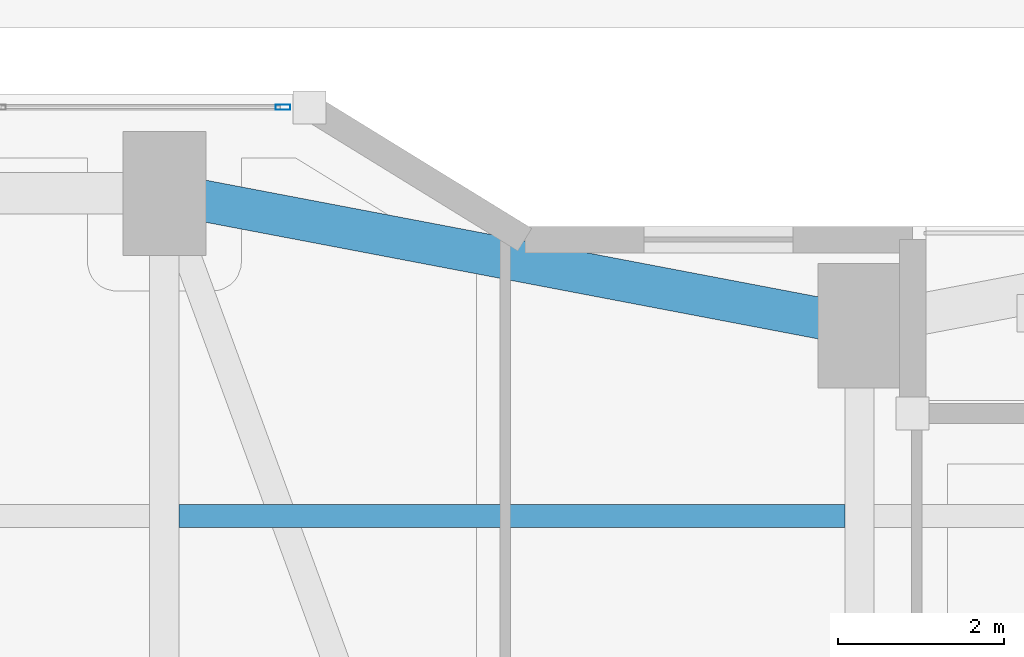
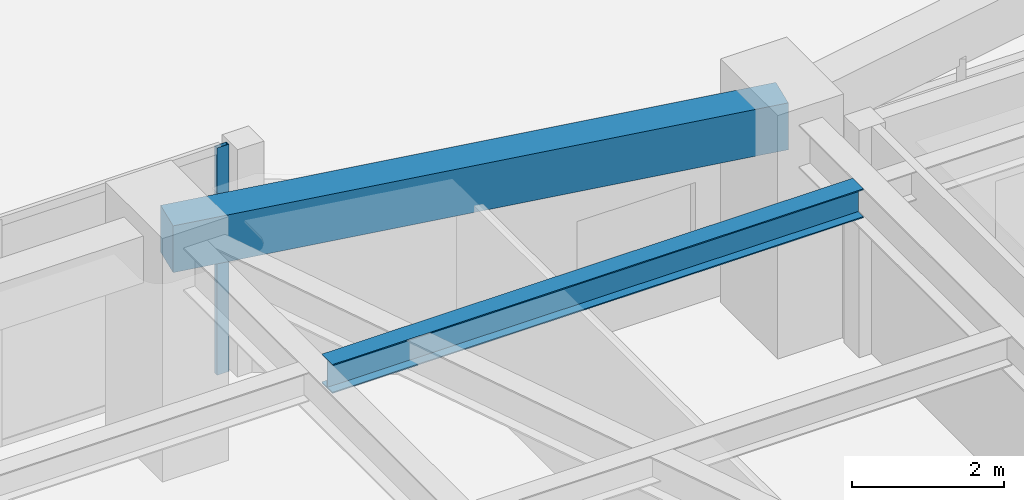
# One storey, part 12 of 38: 2 beams, 1 member, 1 element without a shape of its own.
"""IFC4 building model written with IfcOpenShell, lengths in metres."""

from ifc_helpers import new_model, si_unit, direction, frame, origin, origin_2d, place, context, subcontext, project, spatial, rectangle, hollow_rectangle, i_section, extrude, material, layer, layer_set, material_profile, profile_set, type_object, element, aggregate, save


model = new_model("IFC4")

# Units and contexts
model_context = context("Model", 3, precision=1e-05, world=origin(), true_north=direction((0.0, 1.0)))
body_context = subcontext(model_context, "Body", "Model", "MODEL_VIEW")
ifc_project = project(units=[si_unit("LENGTHUNIT", "METRE"), si_unit("AREAUNIT", "SQUARE_METRE"), si_unit("VOLUMEUNIT", "CUBIC_METRE"), si_unit("PLANEANGLEUNIT", "RADIAN"), si_unit("MASSUNIT", "GRAM", prefix="KILO")], contexts=[model_context])

# Site, building, storey
site_placement = place(None, origin())
site = spatial("IfcSite", under=ifc_project, at=site_placement, CompositionType="ELEMENT")
building_placement = place(site_placement, origin())
building = spatial("IfcBuilding", under=site, at=building_placement, Name="Kiyonajd Concourse Tower", CompositionType="ELEMENT")
storey_placement = place(building_placement, frame((0.0, 0.0, 21.60009765625)))
storey = spatial("IfcBuildingStorey", under=building, at=storey_placement, Name="L06", CompositionType="ELEMENT", Elevation=21.60009765625)

# Beams
ifc_material_1 = material(Name="Steel ASTM A992 Grade 50", Category="steel")
ifc_material_profile_1 = material_profile(ifc_material_1, i_section(OverallWidth=0.280029296875, OverallDepth=0.462890625, WebThickness=0.0107421875, FlangeThickness=0.017333984375, at=origin_2d()), Name="W460X113")
ifc_profile_set_1 = profile_set([ifc_material_profile_1], Name="Steel ASTM A992 Grade 50")
beam_type_1 = type_object("IfcBeamType", Name="BM-JST-460A", PredefinedType="JOIST", material=ifc_profile_set_1)
beam_1_placement = place(storey_placement, frame((39.777587890625, 57.300048828125, 3.408447265625), z_axis=(1.0, 0.0, 0.0), x_axis=(0.0, 1.0, 0.0)))
element("IfcBeam", 1, at=beam_1_placement, inside=storey, type_object=beam_type_1, Name="L06 Secondary Floor Joist", PredefinedType="JOIST", context=body_context, shape_type="SweptSolid", body=[
    extrude(i_section(OverallWidth=0.280029296875, OverallDepth=0.462890625, WebThickness=0.0107421875, FlangeThickness=0.017333984375, at=origin_2d()), origin(), (0.0, 0.0, 1.0), 8.044921875),
])
ifc_material_2 = material(Name="Precast concrete C50/60", Category="concrete")
ifc_material_profile_2 = material_profile(ifc_material_2, rectangle(XDim=0.5, YDim=0.75, at=origin_2d()), Name="RCBM-500x750")
ifc_profile_set_2 = profile_set([ifc_material_profile_2], Name="Precast concrete C50/60")
beam_type_2 = type_object("IfcBeamType", Name="BM-SPAN-RC", PredefinedType="SPANDREL", material=ifc_profile_set_2)
beam_2_placement = place(storey_placement, frame((48.0, 59.60009765625, 3.264892578125), z_axis=(-0.982341315253, 0.187097675953, 0.0), x_axis=(-0.187097675953, -0.982341315253, 0.0)))
element("IfcBeam", 2, at=beam_2_placement, inside=storey, type_object=beam_type_2, Name="L06 Perimeter Bundled Tube Spandrel", PredefinedType="SPANDREL", context=body_context, shape_type="SweptSolid", body=[
    extrude(rectangle(XDim=0.5, YDim=0.75, at=origin_2d()), origin(), (0.0, 0.0, 1.0), 8.55078125),
])

# Curtain wall, member
ifc_material_3 = material(Name="Thermally Broken Anodised Aluminium", Category="aluminium")
ifc_layer = layer(ifc_material_3, 0.179931640625)
ifc_layer_set = layer_set([ifc_layer], Name="Thermally Broken Anodised Aluminium")
curtain_wall_type = type_object("IfcCurtainWallType", Name="CW-SYS-02", PredefinedType="NOTDEFINED", material=ifc_layer_set)
curtain_wall_placement = place(storey_placement, origin())
curtain_wall = element("IfcCurtainWall", 3, at=curtain_wall_placement, inside=storey, type_object=curtain_wall_type, Name="L06 Unitised Curtain Wall CW2", PredefinedType="NOTDEFINED")
ifc_material_profile_3 = material_profile(ifc_material_3, hollow_rectangle(XDim=0.06494140625, YDim=0.179931640625, WallThickness=0.00390625, at=origin_2d()), Name="MULL-65x180")
ifc_profile_set_3 = profile_set([ifc_material_profile_3], Name="Thermally Broken Anodised Aluminium")
member_type = type_object("IfcMemberType", Name="MB-CW-MULL1", PredefinedType="MULLION", material=ifc_profile_set_3)
member_placement = place(storey_placement, frame((41.0322265625, 62.239990234375, 0.0), z_axis=(0.0, 0.0, 1.0), x_axis=(0.0, 1.0, 0.0)))
member = element("IfcMember", 4, at=member_placement, type_object=member_type, Name="CW2 mullion 6", PredefinedType="MULLION", context=body_context, shape_type="SweptSolid", body=[
    extrude(hollow_rectangle(XDim=0.06494140625, YDim=0.179931640625, WallThickness=0.00390625, at=origin_2d()), origin(), (0.0, 0.0, 1.0), 3.639892578125),
])
aggregate(curtain_wall, [member])

save(model, "model.ifc")
